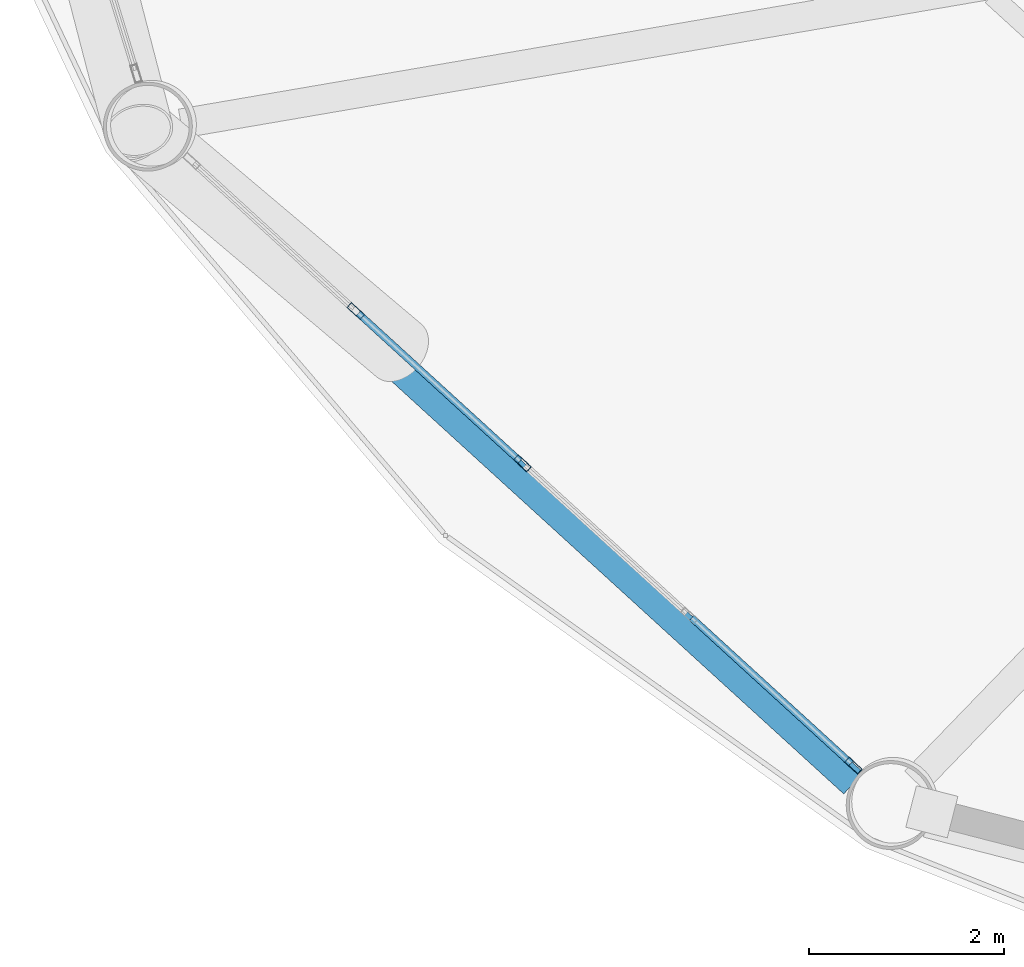
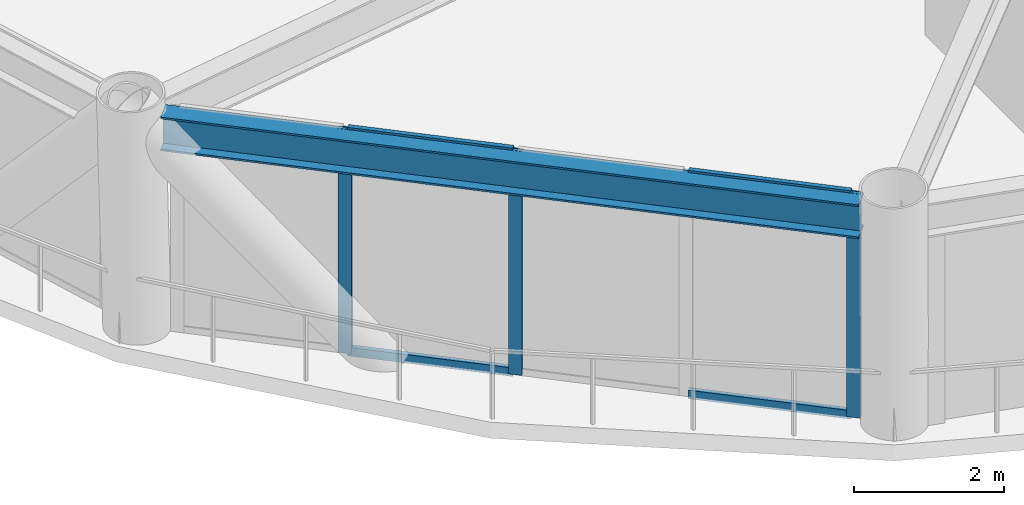
# One storey, part 2 of 26: 7 members, 1 beam, 1 element without a shape of its own.
"""IFC4 building model written with IfcOpenShell, lengths in metres."""

from ifc_helpers import new_model, si_unit, direction, frame, origin, origin_2d, place, context, subcontext, project, spatial, hollow_rectangle, i_section, extrude, material, layer, layer_set, material_profile, profile_set, type_object, element, aggregate, save


model = new_model("IFC4")

# Units and contexts
model_context = context("Model", 3, precision=1e-05, world=origin(), true_north=direction((0.0, 1.0)))
body_context = subcontext(model_context, "Body", "Model", "MODEL_VIEW")
ifc_project = project(units=[si_unit("LENGTHUNIT", "METRE"), si_unit("AREAUNIT", "SQUARE_METRE"), si_unit("VOLUMEUNIT", "CUBIC_METRE"), si_unit("PLANEANGLEUNIT", "RADIAN"), si_unit("MASSUNIT", "GRAM", prefix="KILO")], contexts=[model_context])

# Site, building, storey
site_placement = place(None, origin())
site = spatial("IfcSite", under=ifc_project, at=site_placement, CompositionType="ELEMENT")
building_placement = place(site_placement, origin())
building = spatial("IfcBuilding", under=site, at=building_placement, Name="Varnakorn Sky Granary", CompositionType="ELEMENT")
storey_placement = place(building_placement, frame((0.0, 0.0, 47.10009765625)))
storey = spatial("IfcBuildingStorey", under=building, at=storey_placement, Name="L11", CompositionType="ELEMENT", Elevation=47.10009765625)

# Beam
ifc_material_1 = material(Name="Steel S355JR", Category="steel")
ifc_material_profile_1 = material_profile(ifc_material_1, i_section(OverallWidth=0.300048828125, OverallDepth=0.550048828125, WebThickness=0.014892578125, FlangeThickness=0.029052734375, at=origin_2d()), Name="HE 550 B")
ifc_profile_set_1 = profile_set([ifc_material_profile_1], Name="Steel S355JR")
beam_type = type_object("IfcBeamType", Name="BM-SPD-Z1", PredefinedType="SPANDREL", material=ifc_profile_set_1)
beam_placement = place(storey_placement, frame((-19.336669921875, -9.866943359375, 3.364990234375), z_axis=(0.73868168788, -0.674054422129, 0.0), x_axis=(0.674054422129, 0.73868168788, 0.0)))
element("IfcBeam", 1, at=beam_placement, inside=storey, type_object=beam_type, Name="Perimeter Spandrel Ring Beam RB08 L11", PredefinedType="SPANDREL", context=body_context, shape_type="SweptSolid", body=[
    extrude(i_section(OverallWidth=0.300048828125, OverallDepth=0.550048828125, WebThickness=0.014892578125, FlangeThickness=0.029052734375, at=origin_2d()), origin(), (0.0, 0.0, 1.0), 9.50830078125),
])

# Curtain wall, members
ifc_material_2 = material(Name="Anodised Bronze Aluminium Alloy 6063-T6", Category="aluminium")
ifc_layer = layer(ifc_material_2, 0.18994140625, Name="Anodised Bronze Aluminium Alloy 6063-T6")
ifc_layer_set = layer_set([ifc_layer], Name="Anodised Bronze Aluminium Alloy 6063-T6")
curtain_wall_type = type_object("IfcCurtainWallType", Name="CW-FRM-1", PredefinedType="USERDEFINED", material=ifc_layer_set)
curtain_wall_placement = place(storey_placement, origin())
curtain_wall = element("IfcCurtainWall", 2, at=curtain_wall_placement, inside=storey, type_object=curtain_wall_type, Name="Unitised Curtain Wall CW3 CW-L11-B08", ObjectType="CURTAIN WALL", PredefinedType="USERDEFINED")
ifc_material_profile_2 = material_profile(ifc_material_2, hollow_rectangle(XDim=0.070068359375, YDim=0.18505859375, WallThickness=0.00390625, at=origin_2d()), Name="ALU MULL 70x185")
ifc_profile_set_2 = profile_set([ifc_material_profile_2], Name="Anodised Bronze Aluminium Alloy 6063-T6")
member_type_1 = type_object("IfcMemberType", Name="CW-FRM-1-MULL", PredefinedType="MULLION", material=ifc_profile_set_2)
member_1_placement = place(storey_placement, frame((-12.31494140625, -16.09521484375, 0.0), z_axis=(0.0, 0.0, 1.0), x_axis=(-0.674464438954, -0.738307334777, 0.0)))
member_1 = element("IfcMember", 3, at=member_1_placement, type_object=member_type_1, Name="CW3 mullion 1", PredefinedType="MULLION", context=body_context, shape_type="SweptSolid", body=[
    extrude(hollow_rectangle(XDim=0.070068359375, YDim=0.18505859375, WallThickness=0.00390625, at=origin_2d()), origin(), (0.0, 0.0, 1.0), 3.639892578125),
])
member_2_placement = place(storey_placement, frame((-15.716796875, -12.987548828125, 0.0), z_axis=(0.0, 0.0, 1.0), x_axis=(-0.674464438954, -0.738307334777, 0.0)))
member_2 = element("IfcMember", 4, at=member_2_placement, type_object=member_type_1, Name="CW3 mullion 3", PredefinedType="MULLION", context=body_context, shape_type="SweptSolid", body=[
    extrude(hollow_rectangle(XDim=0.070068359375, YDim=0.18505859375, WallThickness=0.00390625, at=origin_2d()), origin(), (0.0, 0.0, 1.0), 3.639892578125),
])
member_3_placement = place(storey_placement, frame((-17.4306640625, -11.421875, 0.0), z_axis=(0.0, 0.0, 1.0), x_axis=(-0.674464438954, -0.738307334777, 0.0)))
member_3 = element("IfcMember", 5, at=member_3_placement, type_object=member_type_1, Name="CW3 mullion 4", PredefinedType="MULLION", context=body_context, shape_type="SweptSolid", body=[
    extrude(hollow_rectangle(XDim=0.070068359375, YDim=0.18505859375, WallThickness=0.00390625, at=origin_2d()), origin(), (0.0, 0.0, 1.0), 3.639892578125),
])
ifc_material_profile_3 = material_profile(ifc_material_2, hollow_rectangle(XDim=0.070068359375, YDim=0.139892578125, WallThickness=0.00341796875, at=origin_2d()), Name="ALU TRAN 70x140")
ifc_profile_set_3 = profile_set([ifc_material_profile_3], Name="Anodised Bronze Aluminium Alloy 6063-T6")
member_type_2 = type_object("IfcMemberType", Name="CW-FRM-1-TRAN", PredefinedType="USERDEFINED", material=ifc_profile_set_3)
member_4_placement = place(storey_placement, frame((-12.3408203125, -16.071533203125, 0.034912109375), z_axis=(-0.738328085792, 0.674441723005, 0.0), x_axis=(-0.674441723005, -0.738328085792, 0.0)))
member_4 = element("IfcMember", 6, at=member_4_placement, type_object=member_type_2, Name="CW3 transom 1.1", ObjectType="TRANSOM", PredefinedType="USERDEFINED", context=body_context, shape_type="SweptSolid", body=[
    extrude(hollow_rectangle(XDim=0.070068359375, YDim=0.139892578125, WallThickness=0.00341796875, at=origin_2d()), origin(), (0.0, 0.0, 1.0), 2.216552734375),
])
member_5_placement = place(storey_placement, frame((-12.3408203125, -16.071533203125, 3.60498046875), z_axis=(-0.738328085792, 0.674441723005, 0.0), x_axis=(-0.674441723005, -0.738328085792, 0.0)))
member_5 = element("IfcMember", 7, at=member_5_placement, type_object=member_type_2, Name="CW3 transom 1.2", ObjectType="TRANSOM", PredefinedType="USERDEFINED", context=body_context, shape_type="SweptSolid", body=[
    extrude(hollow_rectangle(XDim=0.070068359375, YDim=0.139892578125, WallThickness=0.00341796875, at=origin_2d()), origin(), (0.0, 0.0, 1.0), 2.216552734375),
])
member_6_placement = place(storey_placement, frame((-15.74267578125, -12.9638671875, 0.034912109375), z_axis=(-0.738372794712, 0.674392775784, 0.0), x_axis=(-0.674392775784, -0.738372794712, 0.0)))
member_6 = element("IfcMember", 8, at=member_6_placement, type_object=member_type_2, Name="CW3 transom 3.1", ObjectType="TRANSOM", PredefinedType="USERDEFINED", context=body_context, shape_type="SweptSolid", body=[
    extrude(hollow_rectangle(XDim=0.070068359375, YDim=0.139892578125, WallThickness=0.00341796875, at=origin_2d()), origin(), (0.0, 0.0, 1.0), 2.25146484375),
])
member_7_placement = place(storey_placement, frame((-15.74267578125, -12.9638671875, 3.60498046875), z_axis=(-0.738372794712, 0.674392775784, 0.0), x_axis=(-0.674392775784, -0.738372794712, 0.0)))
member_7 = element("IfcMember", 9, at=member_7_placement, type_object=member_type_2, Name="CW3 transom 3.2", ObjectType="TRANSOM", PredefinedType="USERDEFINED", context=body_context, shape_type="SweptSolid", body=[
    extrude(hollow_rectangle(XDim=0.070068359375, YDim=0.139892578125, WallThickness=0.00341796875, at=origin_2d()), origin(), (0.0, 0.0, 1.0), 2.25146484375),
])
aggregate(curtain_wall, [member_1, member_2, member_3, member_4, member_5, member_6, member_7])

save(model, "model.ifc")
